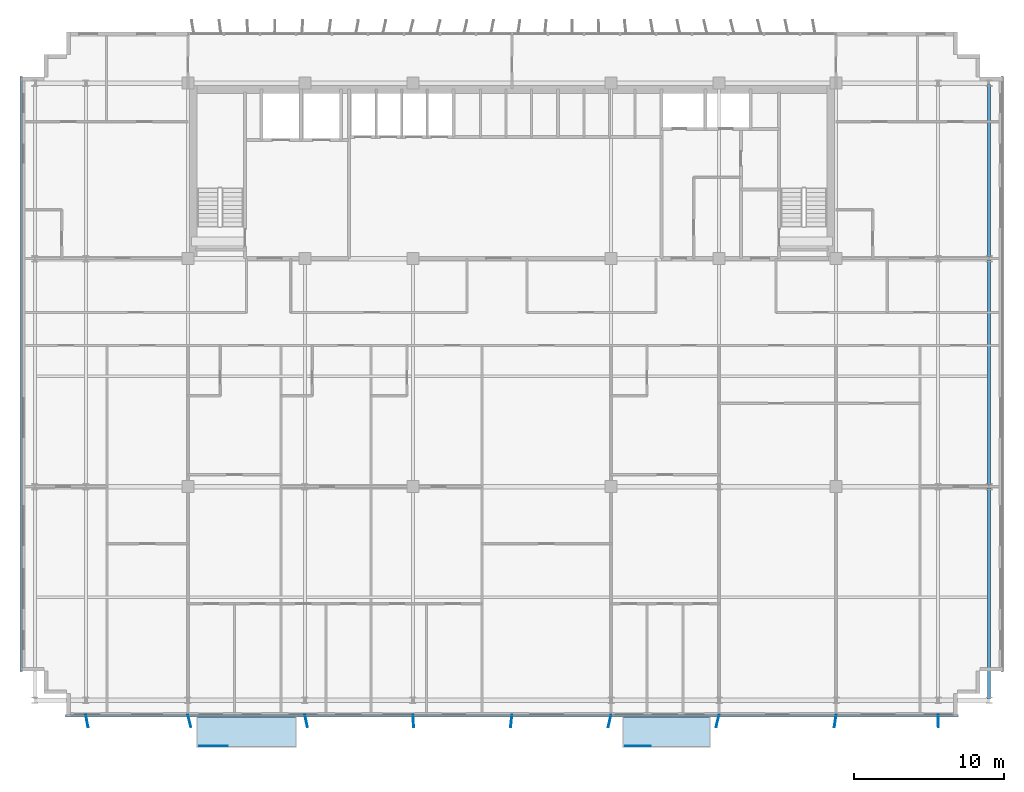
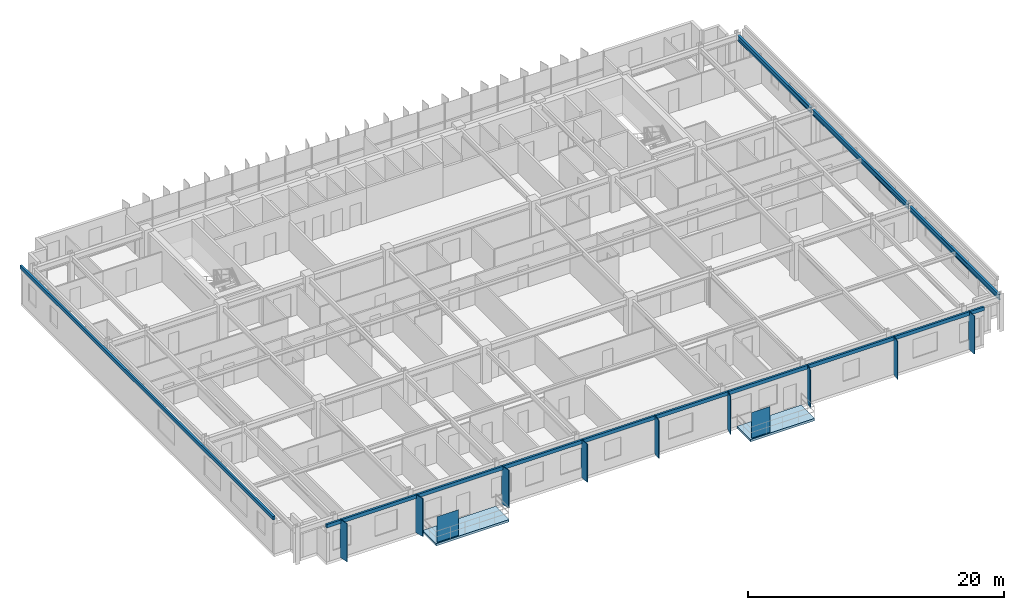
# One storey, part 12 of 22: 13 plates, 3 beams, 2 slabs.
"""IFC4 building model written with IfcOpenShell, lengths in metres."""

import ifcopenshell
import ifcopenshell.guid

model = None  # the IFC model being written
_history = None  # IfcOwnerHistory: only IFC2X3 demands one
_inside = {}  # id of a spatial element -> (the spatial element, [elements in it])
_under = {}  # id of a project, library or spatial element -> (it, [spatial elements below it])
_declared = {}  # id of a project -> (the project, [libraries it declares])
_typed = {}  # id of a type object -> (the type object, [elements of that type])
_made_of = {}  # id of a material, layer set ... -> (it, [elements and type objects made of it])


def new_model(schema):
    """Start an empty IFC model of exactly this schema.

    Asked for "IFC4X3", IfcOpenShell would pick the latest addendum, in which some entities
    have other attributes; the version numbers below select the first issue.
    IFC2X3 requires an IfcOwnerHistory on every rooted entity: one is made here for all.
    """
    global model, _history
    if schema == "IFC4X3":
        model = ifcopenshell.file(schema_version=(4, 3, 0, 0))
    else:
        model = ifcopenshell.file(schema=schema)
    _inside.clear()
    _under.clear()
    _declared.clear()
    _typed.clear()
    _made_of.clear()
    _history = None
    if model.schema == "IFC2X3":
        org = make("IfcOrganization", Name="unknown")
        user = make(
            "IfcPersonAndOrganization",
            ThePerson=make("IfcPerson", FamilyName="unknown"),
            TheOrganization=org,
        )
        app = make(
            "IfcApplication",
            ApplicationDeveloper=org,
            Version="unknown",
            ApplicationFullName="unknown",
            ApplicationIdentifier="unknown",
        )
        _history = make(
            "IfcOwnerHistory",
            OwningUser=user,
            OwningApplication=app,
            ChangeAction="ADDED",
            CreationDate=0,
        )
    return model


def make(cls, **values):
    """One entity of the class cls with the attributes given. An attribute that is None is left unset."""
    return model.create_entity(
        cls, **{name: value for name, value in values.items() if value is not None}
    )


def rooted(cls, **values):
    """An entity with a GlobalId (a new one), such as an element, a storey or a relation."""
    return make(cls, GlobalId=ifcopenshell.guid.new(), OwnerHistory=_history, **values)


def si_unit(unit_type, name, prefix=None):
    """IfcSIUnit, for example si_unit("LENGTHUNIT", "METRE", prefix="MILLI")."""
    return make("IfcSIUnit", UnitType=unit_type, Prefix=prefix, Name=name)


def assignment(units):
    """IfcUnitAssignment: the units of a project."""
    return None if units is None else make("IfcUnitAssignment", Units=units)


def point(xyz):
    """IfcCartesianPoint."""
    return None if xyz is None else make("IfcCartesianPoint", Coordinates=xyz)


def direction(xyz):
    """IfcDirection."""
    return None if xyz is None else make("IfcDirection", DirectionRatios=xyz)


def frame(location, z_axis=None, x_axis=None):
    """IfcAxis2Placement3D, a coordinate frame: its origin and axes. An axis left out is left unset."""
    return make(
        "IfcAxis2Placement3D",
        Location=point(location),
        Axis=direction(z_axis),
        RefDirection=direction(x_axis),
    )


def frame_2d(location, x_axis=None):
    """IfcAxis2Placement2D, a coordinate frame in the plane: its origin and x axis."""
    return make(
        "IfcAxis2Placement2D", Location=point(location), RefDirection=direction(x_axis)
    )


def origin():
    """The frame at (0, 0, 0) with its axes left unset."""
    return frame((0.0, 0.0, 0.0))


def origin_2d():
    """The frame at (0, 0) in the plane with its x axis left unset."""
    return frame_2d((0.0, 0.0))


def place(relative_to, where):
    """IfcLocalPlacement: puts the frame where relative to a parent placement (None: the world)."""
    return make(
        "IfcLocalPlacement", PlacementRelTo=relative_to, RelativePlacement=where
    )


def context(
    kind, dimensions, precision=None, world=None, true_north=None, identifier=None
):
    """IfcGeometricRepresentationContext, for example the 3D "Model" context."""
    return make(
        "IfcGeometricRepresentationContext",
        ContextIdentifier=identifier,
        ContextType=kind,
        CoordinateSpaceDimension=dimensions,
        Precision=precision,
        WorldCoordinateSystem=world,
        TrueNorth=true_north,
    )


def subcontext(parent, identifier, kind, view, scale=None):
    """IfcGeometricRepresentationSubContext, for example "Body" below "Model"."""
    return make(
        "IfcGeometricRepresentationSubContext",
        ContextIdentifier=identifier,
        ContextType=kind,
        ParentContext=parent,
        TargetScale=scale,
        TargetView=view,
    )


def project(units=None, contexts=None):
    """IfcProject with its units and contexts."""
    return rooted(
        "IfcProject",
        Name="project",
        RepresentationContexts=contexts,
        UnitsInContext=assignment(units),
    )


def spatial(cls, under=None, at=None, **own):
    """A site, building, storey or space (cls), placed at a placement, below another one or the project."""
    s = rooted(cls, ObjectPlacement=at, **own)
    if under is not None:
        _under.setdefault(under.id(), (under, []))[1].append(s)
    return s


def polyline(points):
    """IfcPolyline through the points."""
    return make("IfcPolyline", Points=[point(p) for p in points])


def profile(cls, at=None, kind="AREA", **sizes):
    """A parametric profile (cls). Its sizes go by their IFC names, for example OverallWidth=200.0."""
    return make(cls, ProfileType=kind, Position=at, **sizes)


def rectangle(**sizes):
    """IfcRectangleProfileDef."""
    return profile("IfcRectangleProfileDef", **sizes)


def i_section(**sizes):
    """IfcIShapeProfileDef."""
    return profile("IfcIShapeProfileDef", **sizes)


def outline(outer, holes=None, kind="AREA"):
    """IfcArbitraryClosedProfileDef: a profile drawn as a closed curve; with holes, ...WithVoids."""
    if holes is None:
        return make("IfcArbitraryClosedProfileDef", ProfileType=kind, OuterCurve=outer)
    return make(
        "IfcArbitraryProfileDefWithVoids",
        ProfileType=kind,
        OuterCurve=outer,
        InnerCurves=holes,
    )


def extrude(swept, where, along, depth):
    """IfcExtrudedAreaSolid: the profile swept, set in the frame where, extruded along a direction by depth."""
    return make(
        "IfcExtrudedAreaSolid",
        SweptArea=swept,
        Position=where,
        ExtrudedDirection=direction(along),
        Depth=depth,
    )


def shape(context_of_items, identifier, shape_type, items):
    """IfcShapeRepresentation: the items that make up one representation, for example the "Body"."""
    return make(
        "IfcShapeRepresentation",
        ContextOfItems=context_of_items,
        RepresentationIdentifier=identifier,
        RepresentationType=shape_type,
        Items=items,
    )


def source(mapping_origin, context_of_items, identifier, shape_type, items):
    """IfcRepresentationMap: a shape defined once, which mapped items show again and again."""
    return make(
        "IfcRepresentationMap",
        MappingOrigin=mapping_origin,
        MappedRepresentation=shape(context_of_items, identifier, shape_type, items),
    )


def transform(
    local_origin,
    x_axis=None,
    y_axis=None,
    z_axis=None,
    scale=None,
    scale2=None,
    scale3=None,
    uniform=True,
):
    """IfcCartesianTransformationOperator3D, or its non-uniform kind. x_axis, y_axis, z_axis: its Axis1, 2, 3."""
    if uniform:
        return make(
            "IfcCartesianTransformationOperator3D",
            Axis1=direction(x_axis),
            Axis2=direction(y_axis),
            LocalOrigin=point(local_origin),
            Scale=scale,
            Axis3=direction(z_axis),
        )
    return make(
        "IfcCartesianTransformationOperator3DnonUniform",
        Axis1=direction(x_axis),
        Axis2=direction(y_axis),
        LocalOrigin=point(local_origin),
        Scale=scale,
        Axis3=direction(z_axis),
        Scale2=scale2,
        Scale3=scale3,
    )


def mapped(mapping_source, mapping_target):
    """IfcMappedItem: shows the shape of a source again, moved by a transform."""
    return make(
        "IfcMappedItem", MappingSource=mapping_source, MappingTarget=mapping_target
    )


def material(Name=None, Category=None):
    """IfcMaterial."""
    return make("IfcMaterial", Name=Name, Category=Category)


def layer(
    of_material, thickness, ventilated=None, Name=None, Category=None, Priority=None
):
    """IfcMaterialLayer: one layer of a wall or slab, of a material (None: an air gap)."""
    return make(
        "IfcMaterialLayer",
        Material=of_material,
        LayerThickness=thickness,
        IsVentilated=ventilated,
        Name=Name,
        Category=Category,
        Priority=Priority,
    )


def layer_set(layers, Name=None):
    """IfcMaterialLayerSet."""
    return make("IfcMaterialLayerSet", MaterialLayers=layers, LayerSetName=Name)


def material_profile(
    of_material, cross_section, Name=None, Category=None, Priority=None
):
    """IfcMaterialProfile: a cross section and its material."""
    return make(
        "IfcMaterialProfile",
        Name=Name,
        Material=of_material,
        Profile=cross_section,
        Priority=Priority,
        Category=Category,
    )


def profile_set(profiles, Name=None, composite=None):
    """IfcMaterialProfileSet."""
    return make(
        "IfcMaterialProfileSet",
        Name=Name,
        MaterialProfiles=profiles,
        CompositeProfile=composite,
    )


def made_of(thing, what):
    """Note that an element or type object is made of a material, layer set ...; save() writes the relation."""
    if what is not None:
        _made_of.setdefault(what.id(), (what, []))[1].append(thing)
    return thing


def type_object(cls, material=None, **own):
    """A type object (cls), such as IfcWallType, which elements share."""
    return made_of(rooted(cls, **own), material)


def element(
    cls,
    number,
    at=None,
    inside=None,
    cuts=None,
    type_object=None,
    material=None,
    context=None,
    identifier="Body",
    shape_type=None,
    held_by="IfcProductDefinitionShape",
    body=None,
    shapes=None,
    **own,
):
    """One element of the class cls, such as IfcWall. Its Tag is "e" and its number.

    at: its placement. inside: the storey or other place that contains it. cuts: it is an
    opening in that element (IfcRelVoidsElement). A single representation is given by context,
    identifier, shape_type and body (its items); several are given by shapes. held_by: the class
    of the entity that holds the representations. save() writes the other relations.
    """
    e = rooted(cls, Tag="e%d" % number, ObjectPlacement=at, **own)
    if body is not None:
        shapes = [shape(context, identifier, shape_type, body)]
    if shapes is not None:
        e.Representation = make(held_by, Representations=shapes)
    if inside is not None:
        _inside.setdefault(inside.id(), (inside, []))[1].append(e)
    if cuts is not None:
        rooted(
            "IfcRelVoidsElement", RelatingBuildingElement=cuts, RelatedOpeningElement=e
        )
    if type_object is not None:
        _typed.setdefault(type_object.id(), (type_object, []))[1].append(e)
    return made_of(e, material)


def aggregate(whole, parts):
    """IfcRelAggregates: a whole, such as a stair, and the parts it consists of."""
    return rooted("IfcRelAggregates", RelatingObject=whole, RelatedObjects=parts)


def save(model, path):
    """Write the relations noted so far, then the file.

    IfcRelAggregates (storeys below a building ...), IfcRelContainedInSpatialStructure (elements
    in a storey), IfcRelDefinesByType, IfcRelAssociatesMaterial and IfcRelDeclares: one each for
    every whole, place, type object, material and project.
    """
    for whole, parts in _under.values():
        aggregate(whole, parts)
    for where, things in _inside.values():
        rooted(
            "IfcRelContainedInSpatialStructure",
            RelatedElements=things,
            RelatingStructure=where,
        )
    for kind, things in _typed.values():
        rooted("IfcRelDefinesByType", RelatedObjects=things, RelatingType=kind)
    for what, things in _made_of.values():
        rooted("IfcRelAssociatesMaterial", RelatedObjects=things, RelatingMaterial=what)
    for by, libraries in _declared.values():
        rooted("IfcRelDeclares", RelatingContext=by, RelatedDefinitions=libraries)
    model.write(path)


model = new_model("IFC4")

# Units and contexts
model_context = context("Model", 3, precision=1e-05, world=origin(), true_north=direction((0.0, 1.0)))
body_context = subcontext(model_context, "Body", "Model", "MODEL_VIEW")
ifc_project = project(units=[si_unit("LENGTHUNIT", "METRE"), si_unit("AREAUNIT", "SQUARE_METRE"), si_unit("VOLUMEUNIT", "CUBIC_METRE"), si_unit("PLANEANGLEUNIT", "RADIAN"), si_unit("MASSUNIT", "GRAM", prefix="KILO")], contexts=[model_context])

# Site, building, storey
site_placement = place(None, origin())
site = spatial("IfcSite", under=ifc_project, at=site_placement, CompositionType="ELEMENT")
building_placement = place(site_placement, origin())
building = spatial("IfcBuilding", under=site, at=building_placement, Name="Trelvane Seafront Commons", CompositionType="ELEMENT")
storey_placement = place(building_placement, frame((0.0, 0.0, 117.699951171875)))
storey = spatial("IfcBuildingStorey", under=building, at=storey_placement, Name="L30", CompositionType="ELEMENT", Elevation=117.699951171875)

# Beams
ifc_material_1 = material(Name="Steel SM355 (S355)", Category="steel")
ifc_material_profile = material_profile(ifc_material_1, i_section(OverallWidth=0.199951171875, OverallDepth=0.5, WebThickness=0.010009765625, FlangeThickness=0.01611328125, at=origin_2d()), Name="H-500x200x10x16")
ifc_profile_set = profile_set([ifc_material_profile], Name="Steel SM355 (S355)")
beam_type = type_object("IfcBeamType", Name="STR-BM-H500", PredefinedType="BEAM", material=ifc_profile_set)
shared_shape_1 = source(origin(), body_context, "Body", "SweptSolid", [
    extrude(i_section(OverallWidth=0.199951171875, OverallDepth=0.5, WebThickness=0.010009765625, FlangeThickness=0.01611328125, at=origin_2d()), origin(), (0.0, 0.0, 1.0), 14.050048828125),
])
beam_1_placement = place(storey_placement, frame((69.0, 4.050048828125, 3.090087890625), z_axis=(0.0, 1.0, 0.0), x_axis=(-1.0, 0.0, 0.0)))
element("IfcBeam", 1, at=beam_1_placement, inside=storey, type_object=beam_type, Name="L30 Primary Girder G-64", PredefinedType="BEAM", context=body_context, shape_type="MappedRepresentation", body=[
    mapped(shared_shape_1, transform((0.0, 0.0, 0.0), x_axis=(1.0, 0.0, 0.0), y_axis=(0.0, 1.0, 0.0), z_axis=(0.0, 0.0, 1.0), scale=1.0)),
])
shared_shape_2 = source(origin(), body_context, "Body", "SweptSolid", [
    extrude(i_section(OverallWidth=0.199951171875, OverallDepth=0.5, WebThickness=0.010009765625, FlangeThickness=0.01611328125, at=origin_2d()), origin(), (0.0, 0.0, 1.0), 15.0),
])
beam_2_placement = place(storey_placement, frame((69.0, 18.300048828125, 3.090087890625), z_axis=(0.0, 1.0, 0.0), x_axis=(-1.0, 0.0, 0.0)))
element("IfcBeam", 2, at=beam_2_placement, inside=storey, type_object=beam_type, Name="L30 Primary Girder G-65", PredefinedType="BEAM", context=body_context, shape_type="MappedRepresentation", body=[
    mapped(shared_shape_2, transform((0.0, 0.0, 0.0), x_axis=(1.0, 0.0, 0.0), y_axis=(0.0, 1.0, 0.0), z_axis=(0.0, 0.0, 1.0), scale=1.0)),
])
shared_shape_3 = source(origin(), body_context, "Body", "SweptSolid", [
    extrude(i_section(OverallWidth=0.199951171875, OverallDepth=0.5, WebThickness=0.010009765625, FlangeThickness=0.01611328125, at=origin_2d()), origin(), (0.0, 0.0, 1.0), 11.5),
])
beam_3_placement = place(storey_placement, frame((69.0, 33.5, 3.090087890625), z_axis=(0.0, 1.0, 0.0), x_axis=(-1.0, 0.0, 0.0)))
element("IfcBeam", 3, at=beam_3_placement, inside=storey, type_object=beam_type, Name="L30 Primary Girder G-66", PredefinedType="BEAM", context=body_context, shape_type="MappedRepresentation", body=[
    mapped(shared_shape_3, transform((0.0, 0.0, 0.0), x_axis=(1.0, 0.0, 0.0), y_axis=(0.0, 1.0, 0.0), z_axis=(0.0, 0.0, 1.0), scale=1.0)),
])

# Slabs
ifc_material_2 = material(Name="Concrete C40/50", Category="concrete")
ifc_layer_1 = layer(ifc_material_2, 0.219970703125, Name="ARCH-BALC-220")
ifc_layer_set_1 = layer_set([ifc_layer_1], Name="Concrete C40/50")
slab_type = type_object("IfcSlabType", Name="ARCH-BALC-220", PredefinedType="FLOOR", material=ifc_layer_set_1)
slab_1_placement = place(storey_placement, frame((0.0, 0.0, -0.219970703125)))
element("IfcSlab", 4, at=slab_1_placement, inside=storey, type_object=slab_type, Name="L30 Cantilevered Tree Balcony Loggia 1", PredefinedType="FLOOR", context=body_context, shape_type="SweptSolid", body=[
    extrude(outline(polyline([(16.199951171875, 0.800048828125), (22.800048828125, 0.800048828125), (22.800048828125, 2.89990234375), (16.199951171875, 2.89990234375), (16.199951171875, 0.800048828125)])), origin(), (0.0, 0.0, 1.0), 0.219970703125),
])
slab_2_placement = place(storey_placement, frame((0.0, 0.0, -0.219970703125)))
element("IfcSlab", 5, at=slab_2_placement, inside=storey, type_object=slab_type, Name="L30 Cantilevered Tree Balcony Loggia 2", PredefinedType="FLOOR", context=body_context, shape_type="SweptSolid", body=[
    extrude(outline(polyline([(44.60009765625, 0.800048828125), (50.39990234375, 0.800048828125), (50.39990234375, 2.89990234375), (44.60009765625, 2.89990234375), (44.60009765625, 0.800048828125)])), origin(), (0.0, 0.0, 1.0), 0.219970703125),
])

# Plates
ifc_material_3 = material(Name="Perforated anodised aluminium screen", Category="aluminium")
ifc_layer_2 = layer(ifc_material_3, 0.01611328125, Name="ARCH-PLATE-SCREEN")
ifc_layer_set_2 = layer_set([ifc_layer_2], Name="Perforated anodised aluminium screen")
plate_type_1 = type_object("IfcPlateType", Name="ARCH-PLATE-SCREEN", PredefinedType="USERDEFINED", material=ifc_layer_set_2)
shared_shape_4 = source(origin(), body_context, "Body", "SweptSolid", [
    extrude(rectangle(XDim=1.9140625, YDim=0.01611328125, at=origin_2d()), origin(), (0.0, 0.0, 1.0), 2.449951171875),
])
plate_1_placement = place(storey_placement, frame((17.306884765625, 0.919921875, 0.0), z_axis=(0.0, 0.0, 1.0), x_axis=(1.0, 0.0, 0.0)))
element("IfcPlate", 6, at=plate_1_placement, inside=storey, type_object=plate_type_1, Name="SCR-L30-00112", ObjectType="SCREEN", PredefinedType="USERDEFINED", context=body_context, shape_type="MappedRepresentation", body=[
    mapped(shared_shape_4, transform((0.0, 0.0, 0.0), x_axis=(1.0, 0.0, 0.0), y_axis=(0.0, 1.0, 0.0), z_axis=(0.0, 0.0, 1.0), scale=1.0)),
])
shared_shape_5 = source(origin(), body_context, "Body", "SweptSolid", [
    extrude(rectangle(XDim=1.681884765625, YDim=0.01611328125, at=origin_2d()), origin(), (0.0, 0.0, 1.0), 2.449951171875),
])
plate_2_placement = place(storey_placement, frame((45.591064453125, 0.919921875, 0.0), z_axis=(0.0, 0.0, 1.0), x_axis=(1.0, 0.0, 0.0)))
element("IfcPlate", 7, at=plate_2_placement, inside=storey, type_object=plate_type_1, Name="SCR-L30-00113", ObjectType="SCREEN", PredefinedType="USERDEFINED", context=body_context, shape_type="MappedRepresentation", body=[
    mapped(shared_shape_5, transform((0.0, 0.0, 0.0), x_axis=(1.0, 0.0, 0.0), y_axis=(0.0, 1.0, 0.0), z_axis=(0.0, 0.0, 1.0), scale=1.0)),
])
ifc_material_4 = material(Name="Anodised pale-silver aluminium", Category="aluminium")
ifc_layer_3 = layer(ifc_material_4, 0.06005859375, Name="ARCH-PLATE-FIN900")
ifc_layer_set_3 = layer_set([ifc_layer_3], Name="Anodised pale-silver aluminium")
plate_type_2 = type_object("IfcPlateType", Name="ARCH-PLATE-FIN900", PredefinedType="USERDEFINED", material=ifc_layer_set_3)
shared_shape_6 = source(origin(), body_context, "Body", "SweptSolid", [
    extrude(rectangle(XDim=0.85009765625, YDim=0.06005859375, at=origin_2d()), origin(), (0.0, 0.0, 1.0), 3.639892578125),
])
for number, where, z_axis, x_axis, name in (
    (8, (8.873291015625, 2.581298828125, -0.02001953125), (0.0, 0.0, 1.0), (0.172348603667, -0.985036019044, 0.0), "FIN-S-L30-00803"),
    (9, (15.702392578125, 2.587646484375, -0.02001953125), (0.0, 0.0, 1.0), (0.241068285414, -0.970508156466, 0.0), "FIN-S-L30-00804"),
    (10, (23.484130859375, 2.58349609375, -0.02001953125), (0.0, 0.0, 1.0), (0.197994375192, -0.980203156184, 0.0), "FIN-S-L30-00805"),
    (11, (30.626220703125, 2.57568359375, -0.02001953125), (0.0, 0.0, 1.0), (0.061410886867, -0.998112570292, 0.0), "FIN-S-L30-00806"),
    (12, (37.1552734375, 2.577392578125, -0.02001953125), (0.0, 0.0, 1.0), (-0.105174146945, -0.994453819347, 0.0), "FIN-S-L30-00807"),
    (13, (43.7060546875, 2.58544921875, -0.02001953125), (0.0, 0.0, 1.0), (-0.220828509626, -0.975312652095, 0.0), "FIN-S-L30-00808"),
    (14, (50.90087890625, 2.586669921875, -0.02001953125), (0.0, 0.0, 1.0), (-0.232946384079, -0.972489579453, 0.0), "FIN-S-L30-00809"),
    (15, (58.741943359375, 2.5791015625, -0.02001953125), (0.0, 0.0, 1.0), (-0.136593943019, -0.990627121944, 0.0), "FIN-S-L30-00810"),
    (16, (65.61083984375, 2.5751953125, -0.02001953125), (0.0, 0.0, 1.0), (0.025412748481, -0.999677043957, 0.0), "FIN-S-L30-00811"),
):
    element("IfcPlate", number, at=place(storey_placement, frame(where, z_axis=z_axis, x_axis=x_axis)), inside=storey, type_object=plate_type_2, Name=name, ObjectType="FIN", PredefinedType="USERDEFINED", context=body_context, shape_type="MappedRepresentation", body=[
        mapped(shared_shape_6, transform((0.0, 0.0, 0.0), x_axis=(1.0, 0.0, 0.0), y_axis=(0.0, 1.0, 0.0), z_axis=(0.0, 0.0, 1.0), scale=1.0)),
    ])
ifc_layer_4 = layer(ifc_material_4, 0.179931640625, Name="ARCH-PLATE-AERO")
ifc_layer_set_4 = layer_set([ifc_layer_4], Name="Anodised pale-silver aluminium")
plate_type_3 = type_object("IfcPlateType", Name="ARCH-PLATE-AERO", PredefinedType="SHEET", material=ifc_layer_set_4)
shared_shape_7 = source(origin(), body_context, "Body", "SweptSolid", [
    extrude(rectangle(XDim=39.60009765625, YDim=0.179931640625, at=origin_2d()), origin(), (0.0, 0.0, 1.0), 0.340087890625),
])
plate_3_placement = place(storey_placement, frame((4.5, 25.699951171875, 3.27978515625), z_axis=(0.0, 0.0, 1.0), x_axis=(0.0, 1.0, 0.0)))
element("IfcPlate", 17, at=plate_3_placement, inside=storey, type_object=plate_type_3, Name="AER-L30-00110", PredefinedType="SHEET", context=body_context, shape_type="MappedRepresentation", body=[
    mapped(shared_shape_7, transform((0.0, 0.0, 0.0), x_axis=(1.0, 0.0, 0.0), y_axis=(0.0, 1.0, 0.0), z_axis=(0.0, 0.0, 1.0), scale=1.0)),
])
shared_shape_8 = source(origin(), body_context, "Body", "SweptSolid", [
    extrude(rectangle(XDim=59.39990234375, YDim=0.179931640625, at=origin_2d()), origin(), (0.0, 0.0, 1.0), 0.340087890625),
])
plate_4_placement = place(storey_placement, frame((37.199951171875, 2.93994140625, 3.27978515625), z_axis=(0.0, 0.0, 1.0), x_axis=(-1.0, 0.0, 0.0)))
element("IfcPlate", 18, at=plate_4_placement, inside=storey, type_object=plate_type_3, Name="AER-S-L30-00114", PredefinedType="SHEET", context=body_context, shape_type="MappedRepresentation", body=[
    mapped(shared_shape_8, transform((0.0, 0.0, 0.0), x_axis=(1.0, 0.0, 0.0), y_axis=(0.0, 1.0, 0.0), z_axis=(0.0, 0.0, 1.0), scale=1.0)),
])

save(model, "model.ifc")
